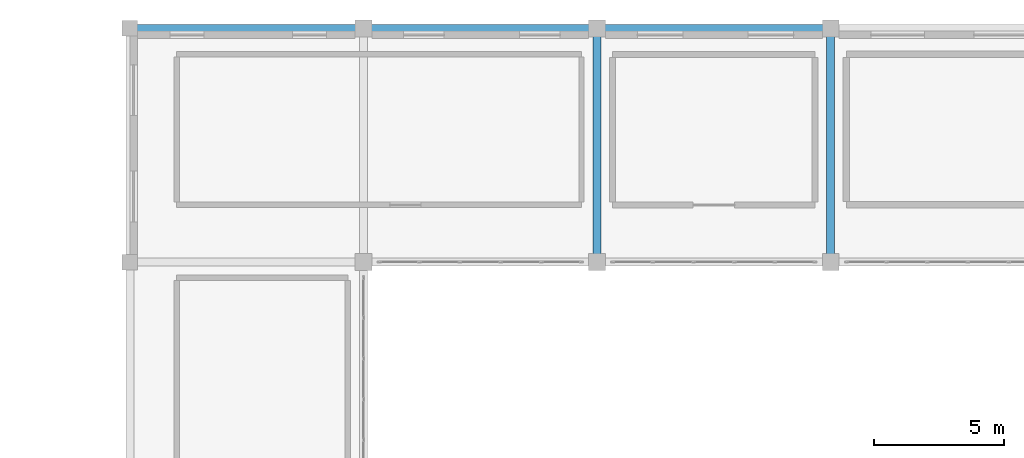
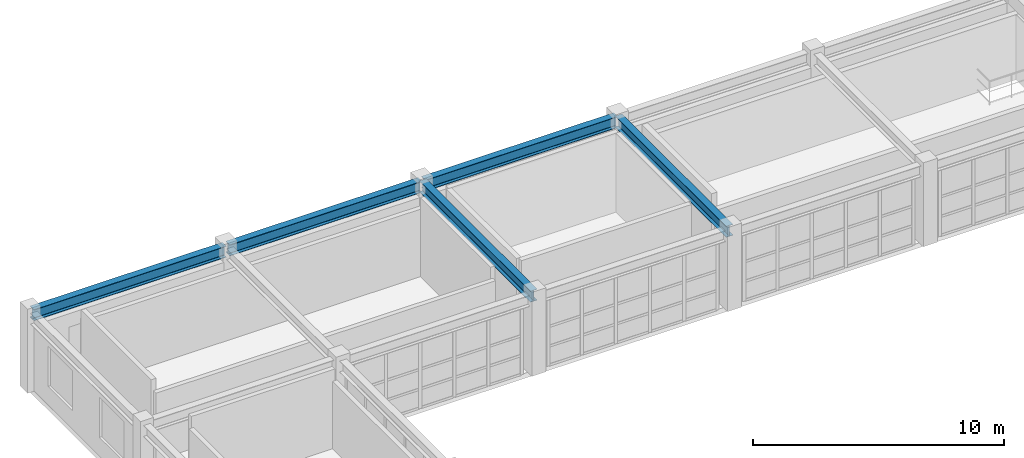
# One storey, part 66 of 110: 5 beams.
"""IFC4 building model written with IfcOpenShell, lengths in metres."""

from ifc_helpers import new_model, si_unit, direction, frame, origin, origin_2d, place, context, subcontext, project, spatial, i_section, extrude, material, material_profile, profile_set, type_object, element, save


model = new_model("IFC4")

# Units and contexts
model_context = context("Model", 3, precision=1e-05, world=origin(), true_north=direction((0.0, 1.0)))
body_context = subcontext(model_context, "Body", "Model", "MODEL_VIEW")
ifc_project = project(units=[si_unit("LENGTHUNIT", "METRE"), si_unit("AREAUNIT", "SQUARE_METRE"), si_unit("VOLUMEUNIT", "CUBIC_METRE"), si_unit("PLANEANGLEUNIT", "RADIAN"), si_unit("MASSUNIT", "GRAM", prefix="KILO")], contexts=[model_context])

# Site, building, storey
site_placement = place(None, origin())
site = spatial("IfcSite", under=ifc_project, at=site_placement, CompositionType="ELEMENT")
building_placement = place(site_placement, origin())
building = spatial("IfcBuilding", under=site, at=building_placement, Name="Miravela Opera House", CompositionType="ELEMENT")
storey_placement = place(building_placement, frame((0.0, 0.0, 13.60009765625)))
storey = spatial("IfcBuildingStorey", under=building, at=storey_placement, Name="L03", CompositionType="ELEMENT", Elevation=13.60009765625)

# Beams
ifc_material = material(Name="Structural steel ASTM A992 Gr. 50", Category="steel")
ifc_material_profile = material_profile(ifc_material, i_section(OverallWidth=0.31201171875, OverallDepth=0.54296875, WebThickness=0.0126953125, FlangeThickness=0.020263671875, FilletRadius=0.01611328125, at=origin_2d()), Name="W530X150")
ifc_profile_set = profile_set([ifc_material_profile])
beam_type = type_object("IfcBeamType", Name="STR-BM-W530X150", PredefinedType="BEAM", material=ifc_profile_set)
for number, where, z_axis, x_axis, name in (
    (1, (18.080078125, 112.0, 3.568359375), (1.0, 0.0, 0.0), (0.0, 1.0, 0.0), "Roof Eave Girder ROOF-V3-WEST-N N1"),
    (2, (27.080078125, 112.0, 3.568359375), (1.0, 0.0, 0.0), (0.0, 1.0, 0.0), "Roof Eave Girder ROOF-V3-WEST-N N2"),
    (3, (36.080078125, 112.0, 3.568359375), (1.0, 0.0, 0.0), (0.0, 1.0, 0.0), "Roof Eave Girder ROOF-V3-WEST-N N3"),
    (4, (36.0, 103.080078125, 3.568359375), (0.0, 1.0, 0.0), (-1.0, 0.0, 0.0), "Roof King-Post Transverse Tie Girder ROOF-V3-WEST-N T2.1"),
    (5, (45.0, 103.080078125, 3.568359375), (0.0, 1.0, 0.0), (-1.0, 0.0, 0.0), "Roof King-Post Transverse Tie Girder ROOF-V3-WEST-N T3.1"),
):
    element("IfcBeam", number, at=place(storey_placement, frame(where, z_axis=z_axis, x_axis=x_axis)), inside=storey, type_object=beam_type, Name=name, PredefinedType="BEAM", context=body_context, shape_type="SweptSolid", body=[
        extrude(i_section(OverallWidth=0.31201171875, OverallDepth=0.54296875, WebThickness=0.0126953125, FlangeThickness=0.020263671875, FilletRadius=0.01611328125, at=origin_2d()), origin(), (0.0, 0.0, 1.0), 8.83984375),
    ])

save(model, "model.ifc")
